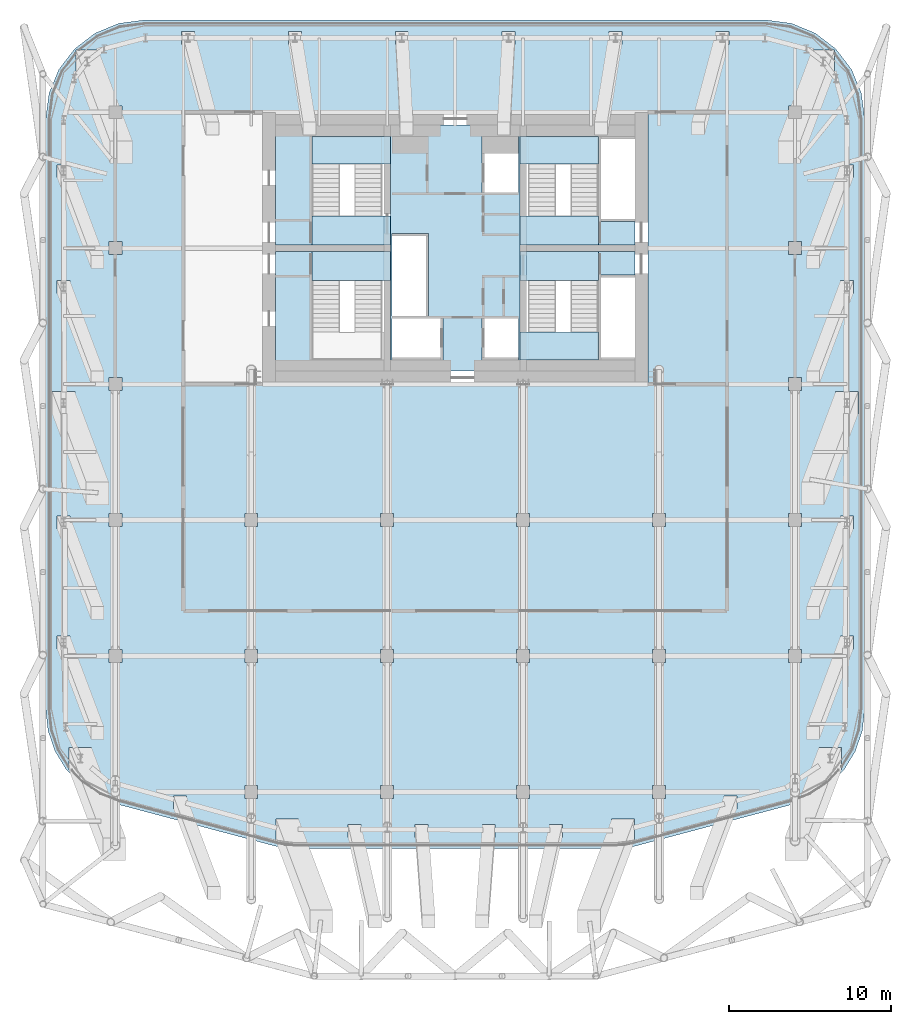
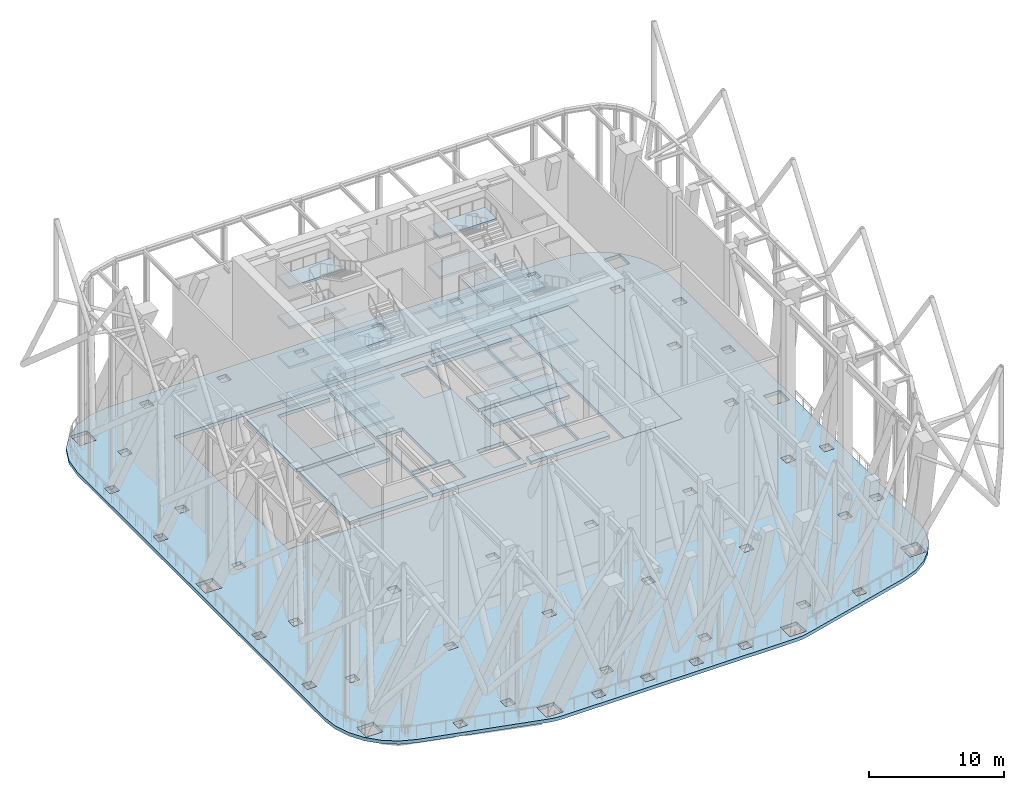
# One storey, part 9 of 20: 35 slabs, 4 elements without a shape of their own.
"""IFC4 building model written with IfcOpenShell, lengths in metres."""

from ifc_helpers import new_model, si_unit, direction, frame, origin, place, context, subcontext, project, spatial, polyline, outline, extrude, material, layer, layer_set, type_object, element, aggregate, save


model = new_model("IFC4")

# Units and contexts
model_context = context("Model", 3, precision=1e-05, world=origin(), true_north=direction((0.0, 1.0)))
body_context = subcontext(model_context, "Body", "Model", "MODEL_VIEW")
ifc_project = project(units=[si_unit("LENGTHUNIT", "METRE"), si_unit("AREAUNIT", "SQUARE_METRE"), si_unit("VOLUMEUNIT", "CUBIC_METRE"), si_unit("PLANEANGLEUNIT", "RADIAN"), si_unit("MASSUNIT", "GRAM", prefix="KILO")], contexts=[model_context])

# Site, building, storey
site_placement = place(None, origin())
site = spatial("IfcSite", under=ifc_project, at=site_placement, CompositionType="ELEMENT")
building_placement = place(site_placement, origin())
building = spatial("IfcBuilding", under=site, at=building_placement, Name="Marenta Gate Hotel Tower", CompositionType="ELEMENT")
storey_placement = place(building_placement, frame((0.0, 0.0, 252.5)))
storey = spatial("IfcBuildingStorey", under=building, at=storey_placement, Name="L60", CompositionType="ELEMENT", Elevation=252.5)

# Slabs
ifc_material_1 = material(Name="Concrete C35", Category="concrete")
ifc_layer_1 = layer(ifc_material_1, 0.300048828125)
ifc_layer_set_1 = layer_set([ifc_layer_1], Name="Concrete C35")
slab_type_1 = type_object("IfcSlabType", Name="Concrete floor slab 300", PredefinedType="FLOOR", material=ifc_layer_set_1)
slab_1_placement = place(storey_placement, frame((0.0, 0.0, -0.300048828125)))
element("IfcSlab", 1, at=slab_1_placement, inside=storey, type_object=slab_type_1, Name="L60-SL-1", PredefinedType="FLOOR", context=body_context, shape_type="SweptSolid", body=[
    extrude(outline(polyline([(-22.005859375, -25.501220703125), (-23.11376953125, -24.76416015625), (-24.035400390625, -23.803955078125), (-24.72705078125, -22.6669921875), (-25.155517578125, -21.4072265625), (-25.300048828125, -20.08984375), (-25.300048828125, 16.406494140625), (-25.093017578125, 17.97900390625), (-24.483642578125, 19.450439453125), (-23.513916015625, 20.7138671875), (-22.25048828125, 21.68359375), (-20.779052734375, 22.29296875), (-19.20654296875, 22.5), (19.20654296875, 22.5), (20.779052734375, 22.29296875), (22.25048828125, 21.68359375), (23.513916015625, 20.7138671875), (24.483642578125, 19.450439453125), (25.093017578125, 17.97900390625), (25.300048828125, 16.406494140625), (25.300048828125, -20.08984375), (25.155517578125, -21.4072265625), (24.72705078125, -22.6669921875), (24.035400390625, -23.803955078125), (23.11376953125, -24.76416015625), (22.005859375, -25.501220703125), (20.76953125, -25.978759765625), (11.026611328125, -28.563720703125), (10.508544921875, -28.665771484375), (9.981689453125, -28.699951171875), (-9.981689453125, -28.699951171875), (-10.508544921875, -28.665771484375), (-11.026611328125, -28.563720703125), (-20.76953125, -25.978759765625), (-22.005859375, -25.501220703125)]), holes=[polyline([(-16.800048828125, 16.800048828125), (-16.800048828125, 0.0), (16.800048828125, 0.0), (16.800048828125, 16.800048828125), (-16.800048828125, 16.800048828125)]), polyline([(-16.606689453125, -26.239013671875), (-16.606689453125, -25.439208984375), (-17.40673828125, -25.439208984375), (-17.40673828125, -26.239013671875), (-16.606689453125, -26.239013671875)]), polyline([(-13.0, -25.60009765625), (-12.199951171875, -25.60009765625), (-12.199951171875, -24.800048828125), (-13.0, -24.800048828125), (-13.0, -25.60009765625)]), polyline([(-23.863037109375, -23.8330078125), (-22.462890625, -23.8330078125), (-22.462890625, -22.43310546875), (-23.863037109375, -22.43310546875), (-23.863037109375, -23.8330078125)]), polyline([(-12.199951171875, -17.199951171875), (-12.199951171875, -16.39990234375), (-13.0, -16.39990234375), (-13.0, -17.199951171875), (-12.199951171875, -17.199951171875)]), polyline([(-21.39990234375, -17.199951171875), (-20.60009765625, -17.199951171875), (-20.60009765625, -16.39990234375), (-21.39990234375, -16.39990234375), (-21.39990234375, -17.199951171875)]), polyline([(-24.60009765625, -16.351806640625), (-23.800048828125, -16.351806640625), (-23.800048828125, -15.552001953125), (-24.60009765625, -15.552001953125), (-24.60009765625, -16.351806640625)]), polyline([(-23.800048828125, -8.950927734375), (-23.800048828125, -8.15087890625), (-24.60009765625, -8.15087890625), (-24.60009765625, -8.950927734375), (-23.800048828125, -8.950927734375)]), polyline([(-13.0, -8.800048828125), (-12.199951171875, -8.800048828125), (-12.199951171875, -8.0), (-13.0, -8.0), (-13.0, -8.800048828125)]), polyline([(-21.39990234375, -8.800048828125), (-20.60009765625, -8.800048828125), (-20.60009765625, -8.0), (-21.39990234375, -8.0), (-21.39990234375, -8.800048828125)]), polyline([(-23.5, -1.85009765625), (-23.5, -0.449951171875), (-24.89990234375, -0.449951171875), (-24.89990234375, -1.85009765625), (-23.5, -1.85009765625)]), polyline([(-21.39990234375, -0.39990234375), (-20.60009765625, -0.39990234375), (-20.60009765625, 0.39990234375), (-21.39990234375, 0.39990234375), (-21.39990234375, -0.39990234375)]), polyline([(-24.60009765625, 5.603271484375), (-23.800048828125, 5.603271484375), (-23.800048828125, 6.4033203125), (-24.60009765625, 6.4033203125), (-24.60009765625, 5.603271484375)]), polyline([(-20.60009765625, 8.0), (-20.60009765625, 8.800048828125), (-21.39990234375, 8.800048828125), (-21.39990234375, 8.0), (-20.60009765625, 8.0)]), polyline([(-24.60009765625, 12.75634765625), (-23.800048828125, 12.75634765625), (-23.800048828125, 13.556396484375), (-24.60009765625, 13.556396484375), (-24.60009765625, 12.75634765625)]), polyline([(-21.39990234375, 16.39990234375), (-20.60009765625, 16.39990234375), (-20.60009765625, 17.199951171875), (-21.39990234375, 17.199951171875), (-21.39990234375, 16.39990234375)]), polyline([(-22.035400390625, 19.235595703125), (-22.035400390625, 20.635498046875), (-23.435546875, 20.635498046875), (-23.435546875, 19.235595703125), (-22.035400390625, 19.235595703125)]), polyline([(-16.906982421875, 21.0), (-16.10693359375, 21.0), (-16.10693359375, 21.800048828125), (-16.906982421875, 21.800048828125), (-16.906982421875, 21.0)]), polyline([(-6.6201171875, -28.0), (-5.820068359375, -28.0), (-5.820068359375, -27.199951171875), (-6.6201171875, -27.199951171875), (-6.6201171875, -28.0)]), polyline([(6.6201171875, -28.0), (6.6201171875, -27.199951171875), (5.820068359375, -27.199951171875), (5.820068359375, -28.0), (6.6201171875, -28.0)]), polyline([(1.67333984375, -28.0), (2.473388671875, -28.0), (2.473388671875, -27.199951171875), (1.67333984375, -27.199951171875), (1.67333984375, -28.0)]), polyline([(-2.473388671875, -28.0), (-1.67333984375, -28.0), (-1.67333984375, -27.199951171875), (-2.473388671875, -27.199951171875), (-2.473388671875, -28.0)]), polyline([(-11.06640625, -28.27490234375), (-9.666259765625, -28.27490234375), (-9.666259765625, -26.874755859375), (-11.06640625, -26.874755859375), (-11.06640625, -28.27490234375)]), polyline([(9.666259765625, -28.27490234375), (11.06640625, -28.27490234375), (11.06640625, -26.874755859375), (9.666259765625, -26.874755859375), (9.666259765625, -28.27490234375)]), polyline([(12.199951171875, -25.60009765625), (13.0, -25.60009765625), (13.0, -24.800048828125), (12.199951171875, -24.800048828125), (12.199951171875, -25.60009765625)]), polyline([(3.800048828125, -25.60009765625), (4.60009765625, -25.60009765625), (4.60009765625, -24.800048828125), (3.800048828125, -24.800048828125), (3.800048828125, -25.60009765625)]), polyline([(-3.800048828125, -25.60009765625), (-3.800048828125, -24.800048828125), (-4.60009765625, -24.800048828125), (-4.60009765625, -25.60009765625), (-3.800048828125, -25.60009765625)]), polyline([(3.800048828125, -17.199951171875), (4.60009765625, -17.199951171875), (4.60009765625, -16.39990234375), (3.800048828125, -16.39990234375), (3.800048828125, -17.199951171875)]), polyline([(-4.60009765625, -17.199951171875), (-3.800048828125, -17.199951171875), (-3.800048828125, -16.39990234375), (-4.60009765625, -16.39990234375), (-4.60009765625, -17.199951171875)]), polyline([(4.60009765625, -8.800048828125), (4.60009765625, -8.0), (3.800048828125, -8.0), (3.800048828125, -8.800048828125), (4.60009765625, -8.800048828125)]), polyline([(-4.60009765625, -8.800048828125), (-3.800048828125, -8.800048828125), (-3.800048828125, -8.0), (-4.60009765625, -8.0), (-4.60009765625, -8.800048828125)]), polyline([(-3.701416015625, 21.0), (-2.9013671875, 21.0), (-2.9013671875, 21.800048828125), (-3.701416015625, 21.800048828125), (-3.701416015625, 21.0)]), polyline([(3.701416015625, 21.0), (3.701416015625, 21.800048828125), (2.9013671875, 21.800048828125), (2.9013671875, 21.0), (3.701416015625, 21.0)]), polyline([(9.504150390625, 21.0), (10.30419921875, 21.0), (10.30419921875, 21.800048828125), (9.504150390625, 21.800048828125), (9.504150390625, 21.0)]), polyline([(-10.30419921875, 21.0), (-9.504150390625, 21.0), (-9.504150390625, 21.800048828125), (-10.30419921875, 21.800048828125), (-10.30419921875, 21.0)]), polyline([(17.40673828125, -26.239013671875), (17.40673828125, -25.439208984375), (16.606689453125, -25.439208984375), (16.606689453125, -26.239013671875), (17.40673828125, -26.239013671875)]), polyline([(22.462890625, -23.8330078125), (23.863037109375, -23.8330078125), (23.863037109375, -22.43310546875), (22.462890625, -22.43310546875), (22.462890625, -23.8330078125)]), polyline([(12.199951171875, -17.199951171875), (13.0, -17.199951171875), (13.0, -16.39990234375), (12.199951171875, -16.39990234375), (12.199951171875, -17.199951171875)]), polyline([(21.39990234375, -17.199951171875), (21.39990234375, -16.39990234375), (20.60009765625, -16.39990234375), (20.60009765625, -17.199951171875), (21.39990234375, -17.199951171875)]), polyline([(23.800048828125, -16.351806640625), (24.60009765625, -16.351806640625), (24.60009765625, -15.552001953125), (23.800048828125, -15.552001953125), (23.800048828125, -16.351806640625)]), polyline([(23.800048828125, -8.950927734375), (24.60009765625, -8.950927734375), (24.60009765625, -8.15087890625), (23.800048828125, -8.15087890625), (23.800048828125, -8.950927734375)]), polyline([(13.0, -8.800048828125), (13.0, -8.0), (12.199951171875, -8.0), (12.199951171875, -8.800048828125), (13.0, -8.800048828125)]), polyline([(20.60009765625, -8.800048828125), (21.39990234375, -8.800048828125), (21.39990234375, -8.0), (20.60009765625, -8.0), (20.60009765625, -8.800048828125)]), polyline([(23.5, -1.85009765625), (24.89990234375, -1.85009765625), (24.89990234375, -0.449951171875), (23.5, -0.449951171875), (23.5, -1.85009765625)]), polyline([(21.39990234375, -0.39990234375), (21.39990234375, 0.39990234375), (20.60009765625, 0.39990234375), (20.60009765625, -0.39990234375), (21.39990234375, -0.39990234375)]), polyline([(23.800048828125, 5.603271484375), (24.60009765625, 5.603271484375), (24.60009765625, 6.4033203125), (23.800048828125, 6.4033203125), (23.800048828125, 5.603271484375)]), polyline([(20.60009765625, 8.0), (21.39990234375, 8.0), (21.39990234375, 8.800048828125), (20.60009765625, 8.800048828125), (20.60009765625, 8.0)]), polyline([(23.800048828125, 12.75634765625), (24.60009765625, 12.75634765625), (24.60009765625, 13.556396484375), (23.800048828125, 13.556396484375), (23.800048828125, 12.75634765625)]), polyline([(20.60009765625, 16.39990234375), (21.39990234375, 16.39990234375), (21.39990234375, 17.199951171875), (20.60009765625, 17.199951171875), (20.60009765625, 16.39990234375)]), polyline([(22.035400390625, 19.235595703125), (23.435546875, 19.235595703125), (23.435546875, 20.635498046875), (22.035400390625, 20.635498046875), (22.035400390625, 19.235595703125)]), polyline([(16.10693359375, 21.0), (16.906982421875, 21.0), (16.906982421875, 21.800048828125), (16.10693359375, 21.800048828125), (16.10693359375, 21.0)])]), origin(), (0.0, 0.0, 1.0), 0.300048828125),
])
ifc_material_2 = material(Name="Concrete C40", Category="concrete")
ifc_layer_2 = layer(ifc_material_2, 0.300048828125)
ifc_layer_set_2 = layer_set([ifc_layer_2], Name="Concrete C40")
slab_type_2 = type_object("IfcSlabType", Name="Core floor slab 300", PredefinedType="FLOOR", material=ifc_layer_set_2)
slab_2_placement = place(storey_placement, frame((0.0, 0.0, -0.300048828125)))
element("IfcSlab", 2, at=slab_2_placement, inside=storey, type_object=slab_type_2, Name="L60-CF-1", PredefinedType="FLOOR", context=body_context, shape_type="SweptSolid", body=[
    extrude(outline(polyline([(11.89990234375, 0.0), (11.89990234375, 16.800048828125), (16.800048828125, 16.800048828125), (16.800048828125, 0.0), (11.89990234375, 0.0)])), origin(), (0.0, 0.0, 1.0), 0.300048828125),
])
slab_3_placement = place(storey_placement, frame((0.0, 0.0, -0.300048828125)))
element("IfcSlab", 3, at=slab_3_placement, inside=storey, type_object=slab_type_2, Name="L60-CF-2", PredefinedType="FLOOR", context=body_context, shape_type="SweptSolid", body=[
    extrude(outline(polyline([(8.85009765625, 1.5), (8.85009765625, 6.39990234375), (8.85009765625, 8.10009765625), (8.85009765625, 8.199951171875), (11.10009765625, 8.199951171875), (11.10009765625, 6.75), (9.0, 6.75), (9.0, 6.60009765625), (9.0, 4.199951171875), (9.0, 4.050048828125), (9.0, 1.64990234375), (9.0, 1.5), (11.10009765625, 1.5), (11.10009765625, 0.800048828125), (4.39990234375, 0.800048828125), (4.39990234375, 1.5), (8.85009765625, 1.5)])), origin(), (0.0, 0.0, 1.0), 0.300048828125),
])
slab_4_placement = place(storey_placement, frame((0.0, 0.0, -0.300048828125)))
element("IfcSlab", 4, at=slab_4_placement, inside=storey, type_object=slab_type_2, Name="L60-CF-3", PredefinedType="FLOOR", context=body_context, shape_type="SweptSolid", body=[
    extrude(outline(polyline([(8.85009765625, 15.300048828125), (4.39990234375, 15.300048828125), (4.39990234375, 16.0), (11.10009765625, 16.0), (11.10009765625, 15.300048828125), (9.0, 15.300048828125), (9.0, 15.14990234375), (9.0, 12.75), (9.0, 12.60009765625), (9.0, 10.199951171875), (9.0, 10.050048828125), (11.10009765625, 10.050048828125), (11.10009765625, 8.60009765625), (8.85009765625, 8.60009765625), (8.85009765625, 8.699951171875), (8.85009765625, 10.39990234375), (8.85009765625, 15.300048828125)])), origin(), (0.0, 0.0, 1.0), 0.300048828125),
])
slab_5_placement = place(storey_placement, frame((0.0, 0.0, -0.300048828125)))
element("IfcSlab", 5, at=slab_5_placement, inside=storey, type_object=slab_type_2, Name="L60-CF-4", PredefinedType="FLOOR", context=body_context, shape_type="SweptSolid", body=[
    extrude(outline(polyline([(4.0, 15.300048828125), (4.0, 10.39990234375), (4.0, 6.39990234375), (4.0, 1.5), (4.0, 0.800048828125), (-4.0, 0.800048828125), (-4.0, 1.5), (-4.0, 6.39990234375), (-4.0, 10.39990234375), (-4.0, 15.300048828125), (-4.0, 16.0), (4.0, 16.0), (4.0, 15.300048828125)]), holes=[polyline([(1.64990234375, 14.25), (1.64990234375, 11.85009765625), (1.800048828125, 11.85009765625), (3.89990234375, 11.85009765625), (3.89990234375, 14.25), (3.89990234375, 15.300048828125), (1.64990234375, 15.300048828125), (1.64990234375, 14.25)]), polyline([(3.89990234375, 1.64990234375), (3.89990234375, 4.050048828125), (1.800048828125, 4.050048828125), (1.64990234375, 4.050048828125), (1.64990234375, 1.64990234375), (1.64990234375, 1.5), (3.89990234375, 1.5), (3.89990234375, 1.64990234375)]), polyline([(-3.89990234375, 1.64990234375), (-3.89990234375, 1.5), (-0.89990234375, 1.5), (-0.75, 1.5), (-0.75, 4.050048828125), (-0.89990234375, 4.050048828125), (-3.89990234375, 4.050048828125), (-3.89990234375, 1.64990234375)]), polyline([(-1.800048828125, 4.199951171875), (-1.64990234375, 4.199951171875), (-1.64990234375, 9.14990234375), (-1.64990234375, 9.300048828125), (-3.89990234375, 9.300048828125), (-3.89990234375, 9.14990234375), (-3.89990234375, 6.75), (-3.89990234375, 6.60009765625), (-3.89990234375, 4.199951171875), (-1.800048828125, 4.199951171875)])]), origin(), (0.0, 0.0, 1.0), 0.300048828125),
])
slab_6_placement = place(storey_placement, frame((0.0, 0.0, -0.300048828125)))
element("IfcSlab", 6, at=slab_6_placement, inside=storey, type_object=slab_type_2, Name="L60-CF-5", PredefinedType="FLOOR", context=body_context, shape_type="SweptSolid", body=[
    extrude(outline(polyline([(-8.85009765625, 8.199951171875), (-8.85009765625, 8.10009765625), (-8.85009765625, 6.39990234375), (-8.85009765625, 1.5), (-4.39990234375, 1.5), (-4.39990234375, 0.800048828125), (-11.10009765625, 0.800048828125), (-11.10009765625, 8.199951171875), (-8.85009765625, 8.199951171875)])), origin(), (0.0, 0.0, 1.0), 0.300048828125),
])
slab_7_placement = place(storey_placement, frame((0.0, 0.0, -0.300048828125)))
element("IfcSlab", 7, at=slab_7_placement, inside=storey, type_object=slab_type_2, Name="L60-CF-6", PredefinedType="FLOOR", context=body_context, shape_type="SweptSolid", body=[
    extrude(outline(polyline([(-4.39990234375, 15.300048828125), (-8.85009765625, 15.300048828125), (-8.85009765625, 10.39990234375), (-8.85009765625, 8.699951171875), (-8.85009765625, 8.60009765625), (-11.10009765625, 8.60009765625), (-11.10009765625, 16.0), (-4.39990234375, 16.0), (-4.39990234375, 15.300048828125)])), origin(), (0.0, 0.0, 1.0), 0.300048828125),
])

# Stair, slabs
ifc_material_3 = material(Name="Concrete C40", Category="concrete")
stair_type = type_object("IfcStairType", Name="Core exit stair 1700 wide", PredefinedType="HALF_TURN_STAIR", material=ifc_material_3)
stair_1_placement = place(storey_placement, origin())
stair_1 = element("IfcStair", 8, at=stair_1_placement, inside=storey, type_object=stair_type, Name="Exit stair 1", PredefinedType="HALF_TURN_STAIR")
ifc_material_4 = material(Name="Concrete C40", Category="concrete")
ifc_layer_3 = layer(ifc_material_4, 0.199951171875)
ifc_layer_set_3 = layer_set([ifc_layer_3], Name="Concrete C40")
slab_type_3 = type_object("IfcSlabType", Name="Core stair landing 200", PredefinedType="LANDING", material=ifc_layer_set_3)
slab_8_placement = place(storey_placement, frame((0.0, 0.0, 3.39990234375)))
slab_8 = element("IfcSlab", 9, at=slab_8_placement, type_object=slab_type_3, Name="SL-200 ST1 landing 2", PredefinedType="LANDING", context=body_context, shape_type="SweptSolid", body=[
    extrude(outline(polyline([(-8.85009765625, 6.39990234375), (-4.0, 6.39990234375), (-4.0, 8.199951171875), (-8.85009765625, 8.199951171875), (-8.85009765625, 6.39990234375)])), origin(), (0.0, 0.0, 1.0), 0.2001953125),
])
slab_9_placement = place(storey_placement, frame((0.0, 0.0, 7.0)))
slab_9 = element("IfcSlab", 10, at=slab_9_placement, type_object=slab_type_3, Name="SL-200 ST1 landing 4", PredefinedType="LANDING", context=body_context, shape_type="SweptSolid", body=[
    extrude(outline(polyline([(-8.85009765625, 6.39990234375), (-4.0, 6.39990234375), (-4.0, 8.199951171875), (-8.85009765625, 8.199951171875), (-8.85009765625, 6.39990234375)])), origin(), (0.0, 0.0, 1.0), 0.199951171875),
])
slab_10_placement = place(storey_placement, frame((0.0, 0.0, 10.60009765625)))
slab_10 = element("IfcSlab", 11, at=slab_10_placement, type_object=slab_type_3, Name="SL-200 ST1 landing 6", PredefinedType="LANDING", context=body_context, shape_type="SweptSolid", body=[
    extrude(outline(polyline([(-8.85009765625, 6.39990234375), (-4.0, 6.39990234375), (-4.0, 8.199951171875), (-8.85009765625, 8.199951171875), (-8.85009765625, 6.39990234375)])), origin(), (0.0, 0.0, 1.0), 0.199951171875),
])
aggregate(stair_1, [slab_8, slab_9, slab_10])

stair_2_placement = place(storey_placement, origin())
stair_2 = element("IfcStair", 12, at=stair_2_placement, inside=storey, type_object=stair_type, Name="Exit stair 2", PredefinedType="HALF_TURN_STAIR")
slab_11_placement = place(storey_placement, frame((0.0, 0.0, 1.60009765625)))
slab_11 = element("IfcSlab", 13, at=slab_11_placement, type_object=slab_type_3, Name="SL-200 ST2 landing 1", PredefinedType="LANDING", context=body_context, shape_type="SweptSolid", body=[
    extrude(outline(polyline([(-8.85009765625, 13.590087890625), (-4.0, 13.590087890625), (-4.0, 15.300048828125), (-8.85009765625, 15.300048828125), (-8.85009765625, 13.590087890625)])), origin(), (0.0, 0.0, 1.0), 0.199951171875),
])
slab_12_placement = place(storey_placement, frame((0.0, 0.0, 3.39990234375)))
slab_12 = element("IfcSlab", 14, at=slab_12_placement, type_object=slab_type_3, Name="SL-200 ST2 landing 2", PredefinedType="LANDING", context=body_context, shape_type="SweptSolid", body=[
    extrude(outline(polyline([(-8.85009765625, 8.60009765625), (-4.0, 8.60009765625), (-4.0, 10.39990234375), (-8.85009765625, 10.39990234375), (-8.85009765625, 8.60009765625)])), origin(), (0.0, 0.0, 1.0), 0.2001953125),
])
slab_13_placement = place(storey_placement, frame((0.0, 0.0, 5.199951171875)))
slab_13 = element("IfcSlab", 15, at=slab_13_placement, type_object=slab_type_3, Name="SL-200 ST2 landing 3", PredefinedType="LANDING", context=body_context, shape_type="SweptSolid", body=[
    extrude(outline(polyline([(-8.85009765625, 13.590087890625), (-4.0, 13.590087890625), (-4.0, 15.300048828125), (-8.85009765625, 15.300048828125), (-8.85009765625, 13.590087890625)])), origin(), (0.0, 0.0, 1.0), 0.199951171875),
])
slab_14_placement = place(storey_placement, frame((0.0, 0.0, 7.0)))
slab_14 = element("IfcSlab", 16, at=slab_14_placement, type_object=slab_type_3, Name="SL-200 ST2 landing 4", PredefinedType="LANDING", context=body_context, shape_type="SweptSolid", body=[
    extrude(outline(polyline([(-8.85009765625, 8.60009765625), (-4.0, 8.60009765625), (-4.0, 10.39990234375), (-8.85009765625, 10.39990234375), (-8.85009765625, 8.60009765625)])), origin(), (0.0, 0.0, 1.0), 0.199951171875),
])
slab_15_placement = place(storey_placement, frame((0.0, 0.0, 8.800048828125)))
slab_15 = element("IfcSlab", 17, at=slab_15_placement, type_object=slab_type_3, Name="SL-200 ST2 landing 5", PredefinedType="LANDING", context=body_context, shape_type="SweptSolid", body=[
    extrude(outline(polyline([(-8.85009765625, 13.590087890625), (-4.0, 13.590087890625), (-4.0, 15.300048828125), (-8.85009765625, 15.300048828125), (-8.85009765625, 13.590087890625)])), origin(), (0.0, 0.0, 1.0), 0.199951171875),
])
slab_16_placement = place(storey_placement, frame((0.0, 0.0, 10.60009765625)))
slab_16 = element("IfcSlab", 18, at=slab_16_placement, type_object=slab_type_3, Name="SL-200 ST2 landing 6", PredefinedType="LANDING", context=body_context, shape_type="SweptSolid", body=[
    extrude(outline(polyline([(-8.85009765625, 8.60009765625), (-4.0, 8.60009765625), (-4.0, 10.39990234375), (-8.85009765625, 10.39990234375), (-8.85009765625, 8.60009765625)])), origin(), (0.0, 0.0, 1.0), 0.199951171875),
])
slab_17_placement = place(storey_placement, frame((0.0, 0.0, 12.39990234375)))
slab_17 = element("IfcSlab", 19, at=slab_17_placement, type_object=slab_type_3, Name="SL-200 ST2 landing 7", PredefinedType="LANDING", context=body_context, shape_type="SweptSolid", body=[
    extrude(outline(polyline([(-8.85009765625, 13.590087890625), (-4.0, 13.590087890625), (-4.0, 15.300048828125), (-8.85009765625, 15.300048828125), (-8.85009765625, 13.590087890625)])), origin(), (0.0, 0.0, 1.0), 0.2001953125),
])
aggregate(stair_2, [slab_11, slab_12, slab_13, slab_14, slab_15, slab_16, slab_17])

stair_3_placement = place(storey_placement, origin())
stair_3 = element("IfcStair", 20, at=stair_3_placement, inside=storey, type_object=stair_type, Name="Exit stair 3", PredefinedType="HALF_TURN_STAIR")
slab_18_placement = place(storey_placement, frame((0.0, 0.0, 1.60009765625)))
slab_18 = element("IfcSlab", 21, at=slab_18_placement, type_object=slab_type_3, Name="SL-200 ST3 landing 1", PredefinedType="LANDING", context=body_context, shape_type="SweptSolid", body=[
    extrude(outline(polyline([(4.0, 1.5), (8.85009765625, 1.5), (8.85009765625, 3.2099609375), (4.0, 3.2099609375), (4.0, 1.5)])), origin(), (0.0, 0.0, 1.0), 0.199951171875),
])
slab_19_placement = place(storey_placement, frame((0.0, 0.0, 3.39990234375)))
slab_19 = element("IfcSlab", 22, at=slab_19_placement, type_object=slab_type_3, Name="SL-200 ST3 landing 2", PredefinedType="LANDING", context=body_context, shape_type="SweptSolid", body=[
    extrude(outline(polyline([(4.0, 6.39990234375), (8.85009765625, 6.39990234375), (8.85009765625, 8.199951171875), (4.0, 8.199951171875), (4.0, 6.39990234375)])), origin(), (0.0, 0.0, 1.0), 0.2001953125),
])
slab_20_placement = place(storey_placement, frame((0.0, 0.0, 5.199951171875)))
slab_20 = element("IfcSlab", 23, at=slab_20_placement, type_object=slab_type_3, Name="SL-200 ST3 landing 3", PredefinedType="LANDING", context=body_context, shape_type="SweptSolid", body=[
    extrude(outline(polyline([(4.0, 1.5), (8.85009765625, 1.5), (8.85009765625, 3.2099609375), (4.0, 3.2099609375), (4.0, 1.5)])), origin(), (0.0, 0.0, 1.0), 0.199951171875),
])
slab_21_placement = place(storey_placement, frame((0.0, 0.0, 7.0)))
slab_21 = element("IfcSlab", 24, at=slab_21_placement, type_object=slab_type_3, Name="SL-200 ST3 landing 4", PredefinedType="LANDING", context=body_context, shape_type="SweptSolid", body=[
    extrude(outline(polyline([(4.0, 6.39990234375), (8.85009765625, 6.39990234375), (8.85009765625, 8.199951171875), (4.0, 8.199951171875), (4.0, 6.39990234375)])), origin(), (0.0, 0.0, 1.0), 0.199951171875),
])
slab_22_placement = place(storey_placement, frame((0.0, 0.0, 8.800048828125)))
slab_22 = element("IfcSlab", 25, at=slab_22_placement, type_object=slab_type_3, Name="SL-200 ST3 landing 5", PredefinedType="LANDING", context=body_context, shape_type="SweptSolid", body=[
    extrude(outline(polyline([(4.0, 1.5), (8.85009765625, 1.5), (8.85009765625, 3.2099609375), (4.0, 3.2099609375), (4.0, 1.5)])), origin(), (0.0, 0.0, 1.0), 0.199951171875),
])
slab_23_placement = place(storey_placement, frame((0.0, 0.0, 10.60009765625)))
slab_23 = element("IfcSlab", 26, at=slab_23_placement, type_object=slab_type_3, Name="SL-200 ST3 landing 6", PredefinedType="LANDING", context=body_context, shape_type="SweptSolid", body=[
    extrude(outline(polyline([(4.0, 6.39990234375), (8.85009765625, 6.39990234375), (8.85009765625, 8.199951171875), (4.0, 8.199951171875), (4.0, 6.39990234375)])), origin(), (0.0, 0.0, 1.0), 0.199951171875),
])
slab_24_placement = place(storey_placement, frame((0.0, 0.0, 12.39990234375)))
slab_24 = element("IfcSlab", 27, at=slab_24_placement, type_object=slab_type_3, Name="SL-200 ST3 landing 7", PredefinedType="LANDING", context=body_context, shape_type="SweptSolid", body=[
    extrude(outline(polyline([(4.0, 1.5), (8.85009765625, 1.5), (8.85009765625, 3.2099609375), (4.0, 3.2099609375), (4.0, 1.5)])), origin(), (0.0, 0.0, 1.0), 0.2001953125),
])
aggregate(stair_3, [slab_18, slab_19, slab_20, slab_21, slab_22, slab_23, slab_24])

stair_4_placement = place(storey_placement, origin())
stair_4 = element("IfcStair", 28, at=stair_4_placement, inside=storey, type_object=stair_type, Name="Exit stair 4", PredefinedType="HALF_TURN_STAIR")
slab_25_placement = place(storey_placement, frame((0.0, 0.0, 1.60009765625)))
slab_25 = element("IfcSlab", 29, at=slab_25_placement, type_object=slab_type_3, Name="SL-200 ST4 landing 1", PredefinedType="LANDING", context=body_context, shape_type="SweptSolid", body=[
    extrude(outline(polyline([(4.0, 13.590087890625), (8.85009765625, 13.590087890625), (8.85009765625, 15.300048828125), (4.0, 15.300048828125), (4.0, 13.590087890625)])), origin(), (0.0, 0.0, 1.0), 0.199951171875),
])
slab_26_placement = place(storey_placement, frame((0.0, 0.0, 3.39990234375)))
slab_26 = element("IfcSlab", 30, at=slab_26_placement, type_object=slab_type_3, Name="SL-200 ST4 landing 2", PredefinedType="LANDING", context=body_context, shape_type="SweptSolid", body=[
    extrude(outline(polyline([(4.0, 8.60009765625), (8.85009765625, 8.60009765625), (8.85009765625, 10.39990234375), (4.0, 10.39990234375), (4.0, 8.60009765625)])), origin(), (0.0, 0.0, 1.0), 0.2001953125),
])
slab_27_placement = place(storey_placement, frame((0.0, 0.0, 5.199951171875)))
slab_27 = element("IfcSlab", 31, at=slab_27_placement, type_object=slab_type_3, Name="SL-200 ST4 landing 3", PredefinedType="LANDING", context=body_context, shape_type="SweptSolid", body=[
    extrude(outline(polyline([(4.0, 13.590087890625), (8.85009765625, 13.590087890625), (8.85009765625, 15.300048828125), (4.0, 15.300048828125), (4.0, 13.590087890625)])), origin(), (0.0, 0.0, 1.0), 0.199951171875),
])
slab_28_placement = place(storey_placement, frame((0.0, 0.0, 7.0)))
slab_28 = element("IfcSlab", 32, at=slab_28_placement, type_object=slab_type_3, Name="SL-200 ST4 landing 4", PredefinedType="LANDING", context=body_context, shape_type="SweptSolid", body=[
    extrude(outline(polyline([(4.0, 8.60009765625), (8.85009765625, 8.60009765625), (8.85009765625, 10.39990234375), (4.0, 10.39990234375), (4.0, 8.60009765625)])), origin(), (0.0, 0.0, 1.0), 0.199951171875),
])
slab_29_placement = place(storey_placement, frame((0.0, 0.0, 8.800048828125)))
slab_29 = element("IfcSlab", 33, at=slab_29_placement, type_object=slab_type_3, Name="SL-200 ST4 landing 5", PredefinedType="LANDING", context=body_context, shape_type="SweptSolid", body=[
    extrude(outline(polyline([(4.0, 13.590087890625), (8.85009765625, 13.590087890625), (8.85009765625, 15.300048828125), (4.0, 15.300048828125), (4.0, 13.590087890625)])), origin(), (0.0, 0.0, 1.0), 0.199951171875),
])
slab_30_placement = place(storey_placement, frame((0.0, 0.0, 10.60009765625)))
slab_30 = element("IfcSlab", 34, at=slab_30_placement, type_object=slab_type_3, Name="SL-200 ST4 landing 6", PredefinedType="LANDING", context=body_context, shape_type="SweptSolid", body=[
    extrude(outline(polyline([(4.0, 8.60009765625), (8.85009765625, 8.60009765625), (8.85009765625, 10.39990234375), (4.0, 10.39990234375), (4.0, 8.60009765625)])), origin(), (0.0, 0.0, 1.0), 0.199951171875),
])
slab_31_placement = place(storey_placement, frame((0.0, 0.0, 12.39990234375)))
slab_31 = element("IfcSlab", 35, at=slab_31_placement, type_object=slab_type_3, Name="SL-200 ST4 landing 7", PredefinedType="LANDING", context=body_context, shape_type="SweptSolid", body=[
    extrude(outline(polyline([(4.0, 13.590087890625), (8.85009765625, 13.590087890625), (8.85009765625, 15.300048828125), (4.0, 15.300048828125), (4.0, 13.590087890625)])), origin(), (0.0, 0.0, 1.0), 0.2001953125),
])
aggregate(stair_4, [slab_25, slab_26, slab_27, slab_28, slab_29, slab_30, slab_31])

# Slabs
ifc_material_5 = material(Name="Concrete C40", Category="concrete")
ifc_layer_4 = layer(ifc_material_5, 0.300048828125)
ifc_layer_set_4 = layer_set([ifc_layer_4], Name="Concrete C40")
slab_type_4 = type_object("IfcSlabType", Name="Stair floor landing slab 300", PredefinedType="FLOOR", material=ifc_layer_set_4)
slab_32_placement = place(storey_placement, frame((0.0, 0.0, -0.300048828125)))
element("IfcSlab", 36, at=slab_32_placement, inside=storey, type_object=slab_type_4, Name="L60-CL-ST1-1", PredefinedType="FLOOR", context=body_context, shape_type="SweptSolid", body=[
    extrude(outline(polyline([(-4.39990234375, 6.39990234375), (-8.85009765625, 6.39990234375), (-8.85009765625, 8.10009765625), (-8.85009765625, 8.199951171875), (-4.39990234375, 8.199951171875), (-4.39990234375, 6.39990234375)])), origin(), (0.0, 0.0, 1.0), 0.300048828125),
])
slab_33_placement = place(storey_placement, frame((0.0, 0.0, -0.300048828125)))
element("IfcSlab", 37, at=slab_33_placement, inside=storey, type_object=slab_type_4, Name="L60-CL-ST2-1", PredefinedType="FLOOR", context=body_context, shape_type="SweptSolid", body=[
    extrude(outline(polyline([(-4.39990234375, 8.60009765625), (-8.85009765625, 8.60009765625), (-8.85009765625, 8.699951171875), (-8.85009765625, 10.39990234375), (-4.39990234375, 10.39990234375), (-4.39990234375, 8.60009765625)])), origin(), (0.0, 0.0, 1.0), 0.300048828125),
])
slab_34_placement = place(storey_placement, frame((0.0, 0.0, -0.300048828125)))
element("IfcSlab", 38, at=slab_34_placement, inside=storey, type_object=slab_type_4, Name="L60-CL-ST3-1", PredefinedType="FLOOR", context=body_context, shape_type="SweptSolid", body=[
    extrude(outline(polyline([(4.39990234375, 6.39990234375), (4.39990234375, 8.199951171875), (8.85009765625, 8.199951171875), (8.85009765625, 8.10009765625), (8.85009765625, 6.39990234375), (4.39990234375, 6.39990234375)])), origin(), (0.0, 0.0, 1.0), 0.300048828125),
])
slab_35_placement = place(storey_placement, frame((0.0, 0.0, -0.300048828125)))
element("IfcSlab", 39, at=slab_35_placement, inside=storey, type_object=slab_type_4, Name="L60-CL-ST4-1", PredefinedType="FLOOR", context=body_context, shape_type="SweptSolid", body=[
    extrude(outline(polyline([(4.39990234375, 8.60009765625), (4.39990234375, 10.39990234375), (8.85009765625, 10.39990234375), (8.85009765625, 8.699951171875), (8.85009765625, 8.60009765625), (4.39990234375, 8.60009765625)])), origin(), (0.0, 0.0, 1.0), 0.300048828125),
])

save(model, "model.ifc")
